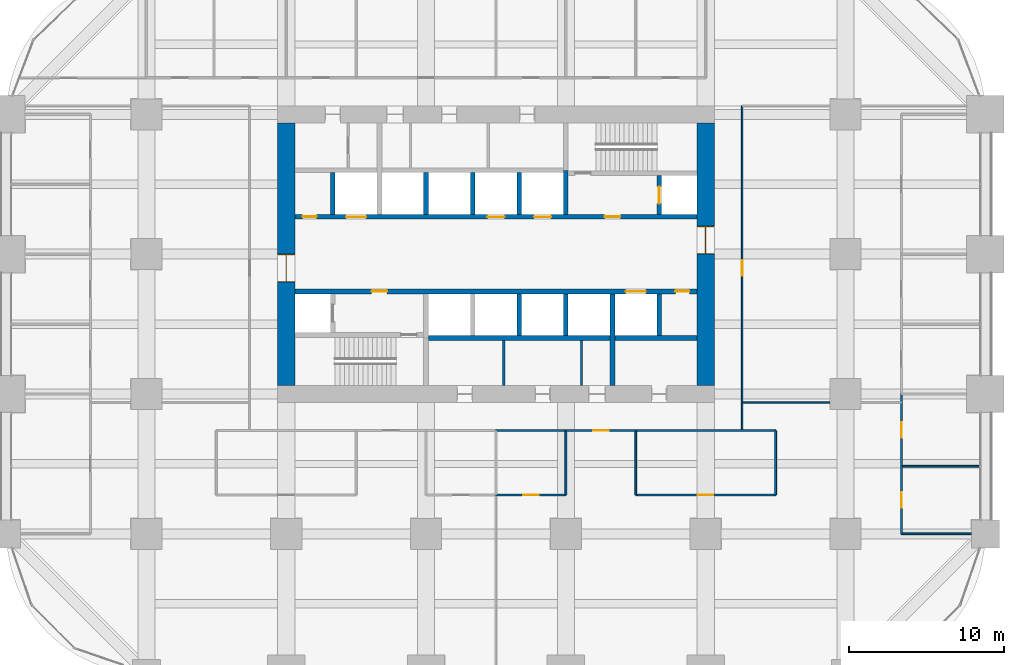
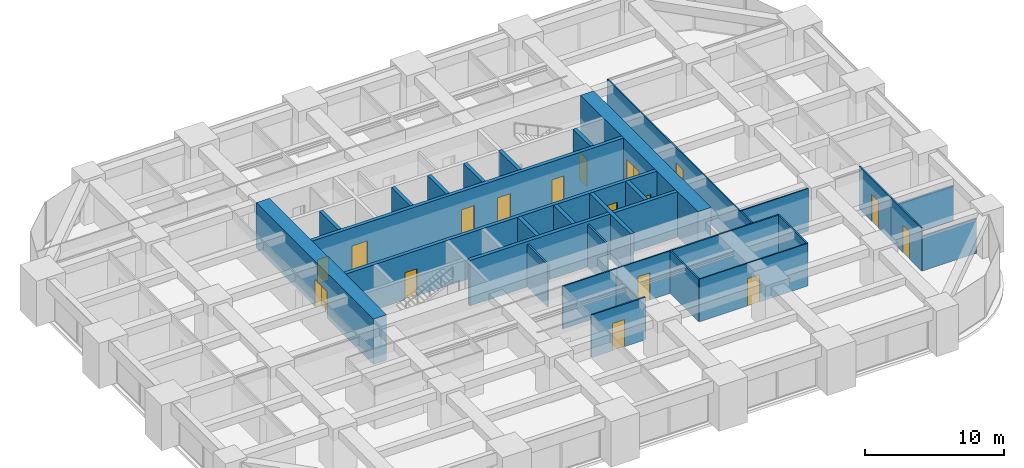
# One storey, part 37 of 41: 31 walls, 17 doors, 17 openings.
"""IFC4 building model written with IfcOpenShell, lengths in metres."""

from ifc_helpers import new_model, si_unit, direction, frame, frame_2d, origin, place, context, subcontext, project, spatial, rectangle, extrude, material, layer, layer_set, type_object, element, fill, save


model = new_model("IFC4")

# Units and contexts
model_context = context("Model", 3, precision=1e-05, world=origin(), true_north=direction((0.0, 1.0)))
body_context = subcontext(model_context, "Body", "Model", "MODEL_VIEW")
ifc_project = project(units=[si_unit("LENGTHUNIT", "METRE"), si_unit("AREAUNIT", "SQUARE_METRE"), si_unit("VOLUMEUNIT", "CUBIC_METRE"), si_unit("PLANEANGLEUNIT", "RADIAN"), si_unit("MASSUNIT", "GRAM", prefix="KILO")], contexts=[model_context])

# Site, building, storey
site_placement = place(None, origin())
site = spatial("IfcSite", under=ifc_project, at=site_placement, CompositionType="ELEMENT")
building_placement = place(site_placement, origin())
building = spatial("IfcBuilding", under=site, at=building_placement, Name="Zorevar Civic Tower", CompositionType="ELEMENT")
storey_placement = place(building_placement, frame((0.0, 0.0, 109.0)))
storey = spatial("IfcBuildingStorey", under=building, at=storey_placement, Name="L26", CompositionType="ELEMENT", Elevation=109.0)

# Wall, opening, door
ifc_material_1 = material(Name="Concrete C50/60", Category="concrete")
ifc_layer_1 = layer(ifc_material_1, 1.10009765625)
ifc_layer_set_1 = layer_set([ifc_layer_1], Name="Core wall 1100")
wall_type_1 = type_object("IfcWallType", Name="Core wall 1100", PredefinedType="SHEAR", material=ifc_layer_set_1)
wall_1_placement = place(storey_placement, frame((18.0, 35.449951171875, 0.0), z_axis=(0.0, 0.0, 1.0), x_axis=(0.0, -1.0, 0.0)))
wall_1 = element("IfcWall", 1, at=wall_1_placement, inside=storey, type_object=wall_type_1, Name="Core wall W L26", PredefinedType="SHEAR", context=body_context, shape_type="SweptSolid", body=[
    extrude(rectangle(XDim=16.89990234375, YDim=1.10009765625, at=frame_2d((8.449951171875, 0.0))), origin(), (0.0, 0.0, 1.0), 4.0),
])
opening_1_placement = place(wall_1_placement, frame((8.449951171875, 0.0, 0.0)))
opening_1 = element("IfcOpeningElement", 2, at=opening_1_placement, cuts=wall_1, Name="Opening L26.01", PredefinedType="OPENING", context=body_context, shape_type="SweptSolid", body=[
    extrude(rectangle(XDim=1.800048828125, YDim=2.39990234375, at=frame_2d((0.89990234375, 1.199951171875))), frame((0.0, 0.56005859375, 0.0), z_axis=(0.0, -1.0, 0.0), x_axis=(1.0, 0.0, 0.0)), (0.0, 0.0, 1.0), 1.1201171875),
])
ifc_material_2 = material(Name="Steel door set", Category="steel")
door_type_1 = type_object("IfcDoorType", Name="Fire door FD2 1800x2400", OperationType="DOUBLE_DOOR_DOUBLE_SWING", PredefinedType="DOOR", material=ifc_material_2)
door_1_placement = place(opening_1_placement, origin())
door_1 = element("IfcDoor", 3, at=door_1_placement, inside=storey, type_object=door_type_1, Name="Door L26 00", OperationType="DOUBLE_DOOR_DOUBLE_SWING", OverallHeight=2.39990234375, OverallWidth=1.800048828125, PredefinedType="DOOR", context=body_context, shape_type="SweptSolid", body=[
    extrude(rectangle(XDim=1.800048828125, YDim=2.39990234375, at=frame_2d((0.89990234375, 1.199951171875))), frame((0.0, 0.030029296875, 0.0), z_axis=(0.0, -1.0, 0.0), x_axis=(1.0, 0.0, 0.0)), (0.0, 0.0, 1.0), 0.06005859375),
    extrude(rectangle(XDim=0.04, YDim=2.39990234375, at=frame_2d((0.02001953125, 1.199951171875))), frame((0.0, 0.5498046875, 0.0), z_axis=(0.0, -1.0, 0.0), x_axis=(1.0, 0.0, 0.0)), (0.0, 0.0, 1.0), 1.099609375),
    extrude(rectangle(XDim=0.04, YDim=2.39990234375, at=frame_2d((1.780029296875, 1.199951171875))), frame((0.0, 0.5498046875, 0.0), z_axis=(0.0, -1.0, 0.0), x_axis=(1.0, 0.0, 0.0)), (0.0, 0.0, 1.0), 1.099609375),
    extrude(rectangle(XDim=1.800048828125, YDim=0.04, at=frame_2d((0.89990234375, 2.3798828125))), frame((0.0, 0.5498046875, 0.0), z_axis=(0.0, -1.0, 0.0), x_axis=(1.0, 0.0, 0.0)), (0.0, 0.0, 1.0), 1.099609375),
])
fill(opening_1, door_1)

wall_2_placement = place(storey_placement, frame((45.0, 18.550048828125, 0.0), z_axis=(0.0, 0.0, 1.0), x_axis=(0.0, 1.0, 0.0)))
wall_2 = element("IfcWall", 4, at=wall_2_placement, inside=storey, type_object=wall_type_1, Name="Core wall E L26", PredefinedType="SHEAR", context=body_context, shape_type="SweptSolid", body=[
    extrude(rectangle(XDim=16.89990234375, YDim=1.10009765625, at=frame_2d((8.449951171875, 0.0))), origin(), (0.0, 0.0, 1.0), 4.0),
])
opening_2_placement = place(wall_2_placement, frame((8.449951171875, 0.0, 0.0)))
opening_2 = element("IfcOpeningElement", 5, at=opening_2_placement, cuts=wall_2, Name="Opening L26.02", PredefinedType="OPENING", context=body_context, shape_type="SweptSolid", body=[
    extrude(rectangle(XDim=1.800048828125, YDim=2.39990234375, at=frame_2d((0.89990234375, 1.199951171875))), frame((0.0, 0.56005859375, 0.0), z_axis=(0.0, -1.0, 0.0), x_axis=(1.0, 0.0, 0.0)), (0.0, 0.0, 1.0), 1.1201171875),
])
door_2_placement = place(opening_2_placement, origin())
door_2 = element("IfcDoor", 6, at=door_2_placement, inside=storey, type_object=door_type_1, Name="Door L26 01", OperationType="DOUBLE_DOOR_DOUBLE_SWING", OverallHeight=2.39990234375, OverallWidth=1.800048828125, PredefinedType="DOOR", context=body_context, shape_type="SweptSolid", body=[
    extrude(rectangle(XDim=1.800048828125, YDim=2.39990234375, at=frame_2d((0.89990234375, 1.199951171875))), frame((0.0, 0.030029296875, 0.0), z_axis=(0.0, -1.0, 0.0), x_axis=(1.0, 0.0, 0.0)), (0.0, 0.0, 1.0), 0.06005859375),
    extrude(rectangle(XDim=0.04, YDim=2.39990234375, at=frame_2d((0.02001953125, 1.199951171875))), frame((0.0, 0.5498046875, 0.0), z_axis=(0.0, -1.0, 0.0), x_axis=(1.0, 0.0, 0.0)), (0.0, 0.0, 1.0), 1.099609375),
    extrude(rectangle(XDim=0.04, YDim=2.39990234375, at=frame_2d((1.780029296875, 1.199951171875))), frame((0.0, 0.5498046875, 0.0), z_axis=(0.0, -1.0, 0.0), x_axis=(1.0, 0.0, 0.0)), (0.0, 0.0, 1.0), 1.099609375),
    extrude(rectangle(XDim=1.800048828125, YDim=0.04, at=frame_2d((0.89990234375, 2.3798828125))), frame((0.0, 0.5498046875, 0.0), z_axis=(0.0, -1.0, 0.0), x_axis=(1.0, 0.0, 0.0)), (0.0, 0.0, 1.0), 1.099609375),
])
fill(opening_2, door_2)

ifc_material_3 = material(Name="Laminated glass in black aluminium frame", Category="aluminium")
ifc_layer_2 = layer(ifc_material_3, 0.10009765625)
ifc_layer_set_2 = layer_set([ifc_layer_2], Name="Glazed partition 100")
wall_type_2 = type_object("IfcWallType", Name="Glazed partition 100", PredefinedType="PARTITIONING", material=ifc_layer_set_2)
wall_3_placement = place(storey_placement, frame((40.5, 11.5, 0.0), z_axis=(0.0, 0.0, 1.0), x_axis=(1.0, 0.0, 0.0)))
wall_3 = element("IfcWall", 7, at=wall_3_placement, inside=storey, type_object=wall_type_2, Name="Glazed partition 100 L26", PredefinedType="PARTITIONING", context=body_context, shape_type="SweptSolid", body=[
    extrude(rectangle(XDim=9.0, YDim=0.10009765625, at=frame_2d((4.5, 0.0))), origin(), (0.0, 0.0, 1.0), 3.75),
])
opening_3_placement = place(wall_3_placement, frame((4.0, 0.0, 0.0)))
opening_3 = element("IfcOpeningElement", 8, at=opening_3_placement, cuts=wall_3, Name="Opening L26.20", PredefinedType="OPENING", context=body_context, shape_type="SweptSolid", body=[
    extrude(rectangle(XDim=1.0, YDim=2.39990234375, at=frame_2d((0.5, 1.199951171875))), frame((0.0, 0.06005859375, 0.0), z_axis=(0.0, -1.0, 0.0), x_axis=(1.0, 0.0, 0.0)), (0.0, 0.0, 1.0), 0.1201171875),
])
ifc_material_4 = material(Name="Timber door set", Category="wood")
door_type_2 = type_object("IfcDoorType", Name="Glazed door GD1 1000x2400", OperationType="SINGLE_SWING_LEFT", PredefinedType="DOOR", material=ifc_material_4)
door_3_placement = place(opening_3_placement, origin())
door_3 = element("IfcDoor", 9, at=door_3_placement, inside=storey, type_object=door_type_2, Name="Door L26 D1", OperationType="SINGLE_SWING_RIGHT", OverallHeight=2.39990234375, OverallWidth=1.0, PredefinedType="DOOR", context=body_context, shape_type="SweptSolid", body=[
    extrude(rectangle(XDim=1.0, YDim=2.39990234375, at=frame_2d((0.5, 1.199951171875))), frame((0.0, 0.02001953125, 0.0), z_axis=(0.0, -1.0, 0.0), x_axis=(1.0, 0.0, 0.0)), (0.0, 0.0, 1.0), 0.0400390625),
])
fill(opening_3, door_3)

wall_4_placement = place(storey_placement, frame((36.0, 15.64990234375, 0.0), z_axis=(0.0, 0.0, 1.0), x_axis=(1.0, 0.0, 0.0)))
wall_4 = element("IfcWall", 10, at=wall_4_placement, inside=storey, type_object=wall_type_2, Name="Glazed partition 100 L26", PredefinedType="PARTITIONING", context=body_context, shape_type="SweptSolid", body=[
    extrude(rectangle(XDim=4.5, YDim=0.10009765625, at=frame_2d((2.25, 0.0))), origin(), (0.0, 0.0, 1.0), 3.75),
])
opening_4_placement = place(wall_4_placement, frame((1.75, 0.0, 0.0)))
opening_4 = element("IfcOpeningElement", 11, at=opening_4_placement, cuts=wall_4, Name="Opening L26.22", PredefinedType="OPENING", context=body_context, shape_type="SweptSolid", body=[
    extrude(rectangle(XDim=1.0, YDim=2.39990234375, at=frame_2d((0.5, 1.199951171875))), frame((0.0, 0.06005859375, 0.0), z_axis=(0.0, -1.0, 0.0), x_axis=(1.0, 0.0, 0.0)), (0.0, 0.0, 1.0), 0.1201171875),
])
door_4_placement = place(opening_4_placement, origin())
door_4 = element("IfcDoor", 12, at=door_4_placement, inside=storey, type_object=door_type_2, Name="Door L26 D1", OperationType="SINGLE_SWING_LEFT", OverallHeight=2.39990234375, OverallWidth=1.0, PredefinedType="DOOR", context=body_context, shape_type="SweptSolid", body=[
    extrude(rectangle(XDim=1.0, YDim=2.39990234375, at=frame_2d((0.5, 1.199951171875))), frame((0.0, 0.02001953125, 0.0), z_axis=(0.0, -1.0, 0.0), x_axis=(1.0, 0.0, 0.0)), (0.0, 0.0, 1.0), 0.0400390625),
])
fill(opening_4, door_4)

# Wall
wall_5_placement = place(storey_placement, frame((47.35009765625, 17.449951171875, 0.0), z_axis=(0.0, 0.0, 1.0), x_axis=(1.0, 0.0, 0.0)))
element("IfcWall", 13, at=wall_5_placement, inside=storey, type_object=wall_type_2, Name="Glazed partition 100 L26", PredefinedType="PARTITIONING", context=body_context, shape_type="SweptSolid", body=[
    extrude(rectangle(XDim=5.64990234375, YDim=0.10009765625, at=frame_2d((2.824951171875, 0.0))), origin(), (0.0, 0.0, 1.0), 3.75),
])

# Wall, opening, door
wall_6_placement = place(storey_placement, frame((47.35009765625, 15.64990234375, 0.0), z_axis=(0.0, 0.0, 1.0), x_axis=(0.0, 1.0, 0.0)))
wall_6 = element("IfcWall", 14, at=wall_6_placement, inside=storey, type_object=wall_type_2, Name="Glazed partition 100 L26", PredefinedType="PARTITIONING", context=body_context, shape_type="SweptSolid", body=[
    extrude(rectangle(XDim=20.900146484375, YDim=0.10009765625, at=frame_2d((10.4501953125, 0.0))), origin(), (0.0, 0.0, 1.0), 3.75),
])
opening_5_placement = place(wall_6_placement, frame((9.949951171875, 0.0, 0.0)))
opening_5 = element("IfcOpeningElement", 15, at=opening_5_placement, cuts=wall_6, Name="Opening L26.37", PredefinedType="OPENING", context=body_context, shape_type="SweptSolid", body=[
    extrude(rectangle(XDim=1.0, YDim=2.39990234375, at=frame_2d((0.5, 1.199951171875))), frame((0.0, 0.06005859375, 0.0), z_axis=(0.0, -1.0, 0.0), x_axis=(1.0, 0.0, 0.0)), (0.0, 0.0, 1.0), 0.1201171875),
])
door_5_placement = place(opening_5_placement, origin())
door_5 = element("IfcDoor", 16, at=door_5_placement, inside=storey, type_object=door_type_2, Name="Door L26 D1", OperationType="SINGLE_SWING_LEFT", OverallHeight=2.39990234375, OverallWidth=1.0, PredefinedType="DOOR", context=body_context, shape_type="SweptSolid", body=[
    extrude(rectangle(XDim=1.0, YDim=2.39990234375, at=frame_2d((0.5, 1.199951171875))), frame((0.0, 0.02001953125, 0.0), z_axis=(0.0, -1.0, 0.0), x_axis=(1.0, 0.0, 0.0)), (0.0, 0.0, 1.0), 0.0400390625),
])
fill(opening_5, door_5)

ifc_material_5 = material(Name="Concrete C40/50", Category="concrete")
ifc_layer_3 = layer(ifc_material_5, 0.300048828125)
ifc_layer_set_3 = layer_set([ifc_layer_3], Name="Inner core wall 300")
wall_type_3 = type_object("IfcWallType", Name="Inner core wall 300", PredefinedType="SHEAR", material=ifc_layer_set_3)
wall_7_placement = place(storey_placement, frame((42.0, 29.550048828125, 0.0), z_axis=(0.0, 0.0, 1.0), x_axis=(0.0, 1.0, 0.0)))
wall_7 = element("IfcWall", 17, at=wall_7_placement, inside=storey, type_object=wall_type_3, Name="Inner core wall N02 L26", PredefinedType="SHEAR", context=body_context, shape_type="SweptSolid", body=[
    extrude(rectangle(XDim=2.5, YDim=0.300048828125, at=frame_2d((1.25, 0.0))), origin(), (0.0, 0.0, 1.0), 4.0),
])
opening_6_placement = place(wall_7_placement, frame((0.699951171875, 0.0, 0.0)))
opening_6 = element("IfcOpeningElement", 18, at=opening_6_placement, cuts=wall_7, Name="Opening L26.FL2", PredefinedType="OPENING", context=body_context, shape_type="SweptSolid", body=[
    extrude(rectangle(XDim=1.10009765625, YDim=2.39990234375, at=frame_2d((0.550048828125, 1.199951171875))), frame((0.0, 0.159912109375, 0.0), z_axis=(0.0, -1.0, 0.0), x_axis=(1.0, 0.0, 0.0)), (0.0, 0.0, 1.0), 0.320068359375),
])
ifc_material_6 = material(Name="Steel door set", Category="steel")
door_type_3 = type_object("IfcDoorType", Name="Firefighting lift landing door LD3 1100x2400", OperationType="DOUBLE_DOOR_SLIDING", PredefinedType="DOOR", material=ifc_material_6)
door_6_placement = place(opening_6_placement, origin())
door_6 = element("IfcDoor", 19, at=door_6_placement, inside=storey, type_object=door_type_3, Name="Landing door FL2 L26", OperationType="DOUBLE_DOOR_SLIDING", OverallHeight=2.39990234375, OverallWidth=1.10009765625, PredefinedType="DOOR", context=body_context, shape_type="SweptSolid", body=[
    extrude(rectangle(XDim=1.10009765625, YDim=2.39990234375, at=frame_2d((0.550048828125, 1.199951171875))), frame((0.0, 0.030029296875, 0.0), z_axis=(0.0, -1.0, 0.0), x_axis=(1.0, 0.0, 0.0)), (0.0, 0.0, 1.0), 0.06005859375),
])
fill(opening_6, door_6)

# Wall, openings, doors
wall_8_placement = place(storey_placement, frame((18.550048828125, 24.60009765625, 0.0), z_axis=(0.0, 0.0, 1.0), x_axis=(1.0, 0.0, 0.0)))
wall_8 = element("IfcWall", 20, at=wall_8_placement, inside=storey, type_object=wall_type_3, Name="Inner core wall S03 L26", PredefinedType="SHEAR", context=body_context, shape_type="SweptSolid", body=[
    extrude(rectangle(XDim=25.89990234375, YDim=0.300048828125, at=frame_2d((12.949951171875, 0.0))), origin(), (0.0, 0.0, 1.0), 4.0),
])
opening_7_placement = place(wall_8_placement, frame((4.949951171875, 0.0, 0.0)))
opening_7 = element("IfcOpeningElement", 21, at=opening_7_placement, cuts=wall_8, Name="Opening L26.13", PredefinedType="OPENING", context=body_context, shape_type="SweptSolid", body=[
    extrude(rectangle(XDim=1.0, YDim=2.39990234375, at=frame_2d((0.5, 1.199951171875))), frame((0.0, 0.159912109375, 0.0), z_axis=(0.0, -1.0, 0.0), x_axis=(1.0, 0.0, 0.0)), (0.0, 0.0, 1.0), 0.320068359375),
])
opening_8_placement = place(wall_8_placement, frame((24.5, 0.0, 0.0)))
opening_8 = element("IfcOpeningElement", 22, at=opening_8_placement, cuts=wall_8, Name="Opening L26.15", PredefinedType="OPENING", context=body_context, shape_type="SweptSolid", body=[
    extrude(rectangle(XDim=0.89990234375, YDim=2.10009765625, at=frame_2d((0.449951171875, 1.050048828125))), frame((0.0, 0.159912109375, 0.0), z_axis=(0.0, -1.0, 0.0), x_axis=(1.0, 0.0, 0.0)), (0.0, 0.0, 1.0), 0.320068359375),
])
opening_9_placement = place(wall_8_placement, frame((21.300048828125, 0.0, 0.0)))
opening_9 = element("IfcOpeningElement", 23, at=opening_9_placement, cuts=wall_8, Name="Opening L26.SL1", PredefinedType="OPENING", context=body_context, shape_type="SweptSolid", body=[
    extrude(rectangle(XDim=1.300048828125, YDim=2.39990234375, at=frame_2d((0.64990234375, 1.199951171875))), frame((0.0, 0.159912109375, 0.0), z_axis=(0.0, -1.0, 0.0), x_axis=(1.0, 0.0, 0.0)), (0.0, 0.0, 1.0), 0.320068359375),
])
ifc_material_7 = material(Name="Steel door set", Category="steel")
door_type_4 = type_object("IfcDoorType", Name="Fire door FD1 1000x2400", OperationType="SINGLE_SWING_LEFT", PredefinedType="DOOR", material=ifc_material_7)
door_7_placement = place(opening_7_placement, origin())
door_7 = element("IfcDoor", 24, at=door_7_placement, inside=storey, type_object=door_type_4, Name="Door L26 12", OperationType="SINGLE_SWING_RIGHT", OverallHeight=2.39990234375, OverallWidth=1.0, PredefinedType="DOOR", context=body_context, shape_type="SweptSolid", body=[
    extrude(rectangle(XDim=1.0, YDim=2.39990234375, at=frame_2d((0.5, 1.199951171875))), frame((0.0, 0.030029296875, 0.0), z_axis=(0.0, -1.0, 0.0), x_axis=(1.0, 0.0, 0.0)), (0.0, 0.0, 1.0), 0.06005859375),
])
fill(opening_7, door_7)
ifc_material_8 = material(Name="Steel door set", Category="steel")
door_type_5 = type_object("IfcDoorType", Name="Landing door LD2 1300x2400", OperationType="DOUBLE_DOOR_SLIDING", PredefinedType="DOOR", material=ifc_material_8)
door_8_placement = place(opening_9_placement, origin())
door_8 = element("IfcDoor", 25, at=door_8_placement, inside=storey, type_object=door_type_5, Name="Landing door SL1 L26", OperationType="DOUBLE_DOOR_SLIDING", OverallHeight=2.39990234375, OverallWidth=1.300048828125, PredefinedType="DOOR", context=body_context, shape_type="SweptSolid", body=[
    extrude(rectangle(XDim=1.300048828125, YDim=2.39990234375, at=frame_2d((0.64990234375, 1.199951171875))), frame((0.0, 0.02001953125, 0.0), z_axis=(0.0, -1.0, 0.0), x_axis=(1.0, 0.0, 0.0)), (0.0, 0.0, 1.0), 0.0400390625),
])
fill(opening_9, door_8)
ifc_material_9 = material(Name="Steel door set", Category="steel")
door_type_6 = type_object("IfcDoorType", Name="Riser door RD1 900x2100", OperationType="SINGLE_SWING_LEFT", PredefinedType="DOOR", material=ifc_material_9)
door_9_placement = place(opening_8_placement, origin())
door_9 = element("IfcDoor", 26, at=door_9_placement, inside=storey, type_object=door_type_6, Name="Door L26 14", OperationType="SINGLE_SWING_RIGHT", OverallHeight=2.10009765625, OverallWidth=0.89990234375, PredefinedType="DOOR", context=body_context, shape_type="SweptSolid", body=[
    extrude(rectangle(XDim=0.89990234375, YDim=2.10009765625, at=frame_2d((0.449951171875, 1.050048828125))), frame((0.0, 0.030029296875, 0.0), z_axis=(0.0, -1.0, 0.0), x_axis=(1.0, 0.0, 0.0)), (0.0, 0.0, 1.0), 0.06005859375),
])
fill(opening_8, door_9)

wall_9_placement = place(storey_placement, frame((18.550048828125, 29.39990234375, 0.0), z_axis=(0.0, 0.0, 1.0), x_axis=(1.0, 0.0, 0.0)))
wall_9 = element("IfcWall", 27, at=wall_9_placement, inside=storey, type_object=wall_type_3, Name="Inner core wall N03 L26", PredefinedType="SHEAR", context=body_context, shape_type="SweptSolid", body=[
    extrude(rectangle(XDim=25.89990234375, YDim=0.300048828125, at=frame_2d((12.949951171875, 0.0))), origin(), (0.0, 0.0, 1.0), 4.0),
])
opening_10_placement = place(wall_9_placement, frame((19.949951171875, 0.0, 0.0)))
opening_10 = element("IfcOpeningElement", 28, at=opening_10_placement, cuts=wall_9, Name="Opening L26.14", PredefinedType="OPENING", context=body_context, shape_type="SweptSolid", body=[
    extrude(rectangle(XDim=1.0, YDim=2.39990234375, at=frame_2d((0.5, 1.199951171875))), frame((0.0, 0.159912109375, 0.0), z_axis=(0.0, -1.0, 0.0), x_axis=(1.0, 0.0, 0.0)), (0.0, 0.0, 1.0), 0.320068359375),
])
opening_11_placement = place(wall_9_placement, frame((0.5, 0.0, 0.0)))
opening_11 = element("IfcOpeningElement", 29, at=opening_11_placement, cuts=wall_9, Name="Opening L26.16", PredefinedType="OPENING", context=body_context, shape_type="SweptSolid", body=[
    extrude(rectangle(XDim=0.89990234375, YDim=2.10009765625, at=frame_2d((0.449951171875, 1.050048828125))), frame((0.0, 0.159912109375, 0.0), z_axis=(0.0, -1.0, 0.0), x_axis=(1.0, 0.0, 0.0)), (0.0, 0.0, 1.0), 0.320068359375),
])
opening_12_placement = place(wall_9_placement, frame((15.39990234375, 0.0, 0.0)))
opening_12 = element("IfcOpeningElement", 30, at=opening_12_placement, cuts=wall_9, Name="Opening L26.LM1", PredefinedType="OPENING", context=body_context, shape_type="SweptSolid", body=[
    extrude(rectangle(XDim=1.10009765625, YDim=2.39990234375, at=frame_2d((0.550048828125, 1.199951171875))), frame((0.0, 0.159912109375, 0.0), z_axis=(0.0, -1.0, 0.0), x_axis=(1.0, 0.0, 0.0)), (0.0, 0.0, 1.0), 0.320068359375),
])
opening_13_placement = place(wall_9_placement, frame((12.39990234375, 0.0, 0.0)))
opening_13 = element("IfcOpeningElement", 31, at=opening_13_placement, cuts=wall_9, Name="Opening L26.LM2", PredefinedType="OPENING", context=body_context, shape_type="SweptSolid", body=[
    extrude(rectangle(XDim=1.10009765625, YDim=2.39990234375, at=frame_2d((0.550048828125, 1.199951171875))), frame((0.0, 0.159912109375, 0.0), z_axis=(0.0, -1.0, 0.0), x_axis=(1.0, 0.0, 0.0)), (0.0, 0.0, 1.0), 0.320068359375),
])
opening_14_placement = place(wall_9_placement, frame((3.300048828125, 0.0, 0.0)))
opening_14 = element("IfcOpeningElement", 32, at=opening_14_placement, cuts=wall_9, Name="Opening L26.SL2", PredefinedType="OPENING", context=body_context, shape_type="SweptSolid", body=[
    extrude(rectangle(XDim=1.300048828125, YDim=2.39990234375, at=frame_2d((0.64990234375, 1.199951171875))), frame((0.0, 0.159912109375, 0.0), z_axis=(0.0, -1.0, 0.0), x_axis=(1.0, 0.0, 0.0)), (0.0, 0.0, 1.0), 0.320068359375),
])
door_10_placement = place(opening_10_placement, origin())
door_10 = element("IfcDoor", 33, at=door_10_placement, inside=storey, type_object=door_type_4, Name="Door L26 13", OperationType="SINGLE_SWING_RIGHT", OverallHeight=2.39990234375, OverallWidth=1.0, PredefinedType="DOOR", context=body_context, shape_type="SweptSolid", body=[
    extrude(rectangle(XDim=1.0, YDim=2.39990234375, at=frame_2d((0.5, 1.199951171875))), frame((0.0, 0.030029296875, 0.0), z_axis=(0.0, -1.0, 0.0), x_axis=(1.0, 0.0, 0.0)), (0.0, 0.0, 1.0), 0.06005859375),
])
fill(opening_10, door_10)
ifc_material_10 = material(Name="Steel door set", Category="steel")
door_type_7 = type_object("IfcDoorType", Name="Landing door LD1 1100x2400", OperationType="DOUBLE_DOOR_SLIDING", PredefinedType="DOOR", material=ifc_material_10)
door_11_placement = place(opening_12_placement, origin())
door_11 = element("IfcDoor", 34, at=door_11_placement, inside=storey, type_object=door_type_7, Name="Landing door LM1 L26", OperationType="DOUBLE_DOOR_SLIDING", OverallHeight=2.39990234375, OverallWidth=1.10009765625, PredefinedType="DOOR", context=body_context, shape_type="SweptSolid", body=[
    extrude(rectangle(XDim=1.10009765625, YDim=2.39990234375, at=frame_2d((0.550048828125, 1.199951171875))), frame((0.0, 0.02001953125, 0.0), z_axis=(0.0, -1.0, 0.0), x_axis=(1.0, 0.0, 0.0)), (0.0, 0.0, 1.0), 0.0400390625),
])
fill(opening_12, door_11)
door_12_placement = place(opening_13_placement, origin())
door_12 = element("IfcDoor", 35, at=door_12_placement, inside=storey, type_object=door_type_7, Name="Landing door LM2 L26", OperationType="DOUBLE_DOOR_SLIDING", OverallHeight=2.39990234375, OverallWidth=1.10009765625, PredefinedType="DOOR", context=body_context, shape_type="SweptSolid", body=[
    extrude(rectangle(XDim=1.10009765625, YDim=2.39990234375, at=frame_2d((0.550048828125, 1.199951171875))), frame((0.0, 0.02001953125, 0.0), z_axis=(0.0, -1.0, 0.0), x_axis=(1.0, 0.0, 0.0)), (0.0, 0.0, 1.0), 0.0400390625),
])
fill(opening_13, door_12)
door_13_placement = place(opening_14_placement, origin())
door_13 = element("IfcDoor", 36, at=door_13_placement, inside=storey, type_object=door_type_5, Name="Landing door SL2 L26", OperationType="DOUBLE_DOOR_SLIDING", OverallHeight=2.39990234375, OverallWidth=1.300048828125, PredefinedType="DOOR", context=body_context, shape_type="SweptSolid", body=[
    extrude(rectangle(XDim=1.300048828125, YDim=2.39990234375, at=frame_2d((0.64990234375, 1.199951171875))), frame((0.0, 0.02001953125, 0.0), z_axis=(0.0, -1.0, 0.0), x_axis=(1.0, 0.0, 0.0)), (0.0, 0.0, 1.0), 0.0400390625),
])
fill(opening_14, door_13)
door_14_placement = place(opening_11_placement, origin())
door_14 = element("IfcDoor", 37, at=door_14_placement, inside=storey, type_object=door_type_6, Name="Door L26 15", OperationType="SINGLE_SWING_RIGHT", OverallHeight=2.10009765625, OverallWidth=0.89990234375, PredefinedType="DOOR", context=body_context, shape_type="SweptSolid", body=[
    extrude(rectangle(XDim=0.89990234375, YDim=2.10009765625, at=frame_2d((0.449951171875, 1.050048828125))), frame((0.0, 0.030029296875, 0.0), z_axis=(0.0, -1.0, 0.0), x_axis=(1.0, 0.0, 0.0)), (0.0, 0.0, 1.0), 0.06005859375),
])
fill(opening_11, door_14)

# Walls
wall_10_placement = place(storey_placement, frame((27.14990234375, 21.60009765625, 0.0), z_axis=(0.0, 0.0, 1.0), x_axis=(1.0, 0.0, 0.0)))
element("IfcWall", 38, at=wall_10_placement, inside=storey, type_object=wall_type_3, Name="Inner core wall S04 L26", PredefinedType="SHEAR", context=body_context, shape_type="SweptSolid", body=[
    extrude(rectangle(XDim=17.300048828125, YDim=0.300048828125, at=frame_2d((8.64990234375, 0.0))), origin(), (0.0, 0.0, 1.0), 4.0),
])
for number, where, z_axis, x_axis, name in (
    (39, (33.0, 29.550048828125, 0.0), (0.0, 0.0, 1.0), (0.0, 1.0, 0.0), "Inner core wall N05 L26"),
    (40, (33.0, 21.75, 0.0), (0.0, 0.0, 1.0), (0.0, 1.0, 0.0), "Inner core wall S06 L26"),
    (41, (30.0, 29.550048828125, 0.0), (0.0, 0.0, 1.0), (0.0, 1.0, 0.0), "Inner core wall N06 L26"),
    (42, (36.0, 21.75, 0.0), (0.0, 0.0, 1.0), (0.0, 1.0, 0.0), "Inner core wall S07 L26"),
    (43, (27.0, 29.550048828125, 0.0), (0.0, 0.0, 1.0), (0.0, 1.0, 0.0), "Inner core wall N07 L26"),
):
    element("IfcWall", number, at=place(storey_placement, frame(where, z_axis=z_axis, x_axis=x_axis)), inside=storey, type_object=wall_type_3, Name=name, PredefinedType="SHEAR", context=body_context, shape_type="SweptSolid", body=[
        extrude(rectangle(XDim=2.699951171875, YDim=0.300048828125, at=frame_2d((1.35009765625, 0.0))), origin(), (0.0, 0.0, 1.0), 4.0),
    ])
wall_11_placement = place(storey_placement, frame((39.0, 18.550048828125, 0.0), z_axis=(0.0, 0.0, 1.0), x_axis=(0.0, 1.0, 0.0)))
element("IfcWall", 44, at=wall_11_placement, inside=storey, type_object=wall_type_3, Name="Inner core wall S08 L26", PredefinedType="SHEAR", context=body_context, shape_type="SweptSolid", body=[
    extrude(rectangle(XDim=5.89990234375, YDim=0.300048828125, at=frame_2d((2.949951171875, 0.0))), origin(), (0.0, 0.0, 1.0), 4.0),
])
for number, where, z_axis, x_axis, name in (
    (45, (42.0, 21.75, 0.0), (0.0, 0.0, 1.0), (0.0, 1.0, 0.0), "Inner core wall S09 L26"),
    (46, (21.0, 29.550048828125, 0.0), (0.0, 0.0, 1.0), (0.0, 1.0, 0.0), "Inner core wall N09 L26"),
):
    element("IfcWall", number, at=place(storey_placement, frame(where, z_axis=z_axis, x_axis=x_axis)), inside=storey, type_object=wall_type_3, Name=name, PredefinedType="SHEAR", context=body_context, shape_type="SweptSolid", body=[
        extrude(rectangle(XDim=2.699951171875, YDim=0.300048828125, at=frame_2d((1.35009765625, 0.0))), origin(), (0.0, 0.0, 1.0), 4.0),
    ])
wall_12_placement = place(storey_placement, frame((36.0, 29.550048828125, 0.0), z_axis=(0.0, 0.0, 1.0), x_axis=(0.0, 1.0, 0.0)))
element("IfcWall", 47, at=wall_12_placement, inside=storey, type_object=wall_type_3, Name="Inner core wall N10 L26", PredefinedType="SHEAR", context=body_context, shape_type="SweptSolid", body=[
    extrude(rectangle(XDim=2.849853515625, YDim=0.300048828125, at=frame_2d((1.4248046875, 0.0))), origin(), (0.0, 0.0, 1.0), 4.0),
])
ifc_material_11 = material(Name="Gypsum board on steel studs", Category="steel")
ifc_layer_4 = layer(ifc_material_11, 0.1201171875)
ifc_layer_set_4 = layer_set([ifc_layer_4], Name="Partition 120")
wall_type_4 = type_object("IfcWallType", Name="Partition 120", PredefinedType="PARTITIONING", material=ifc_layer_set_4)
wall_13_placement = place(storey_placement, frame((57.60009765625, 9.0, 0.0), z_axis=(0.0, 0.0, 1.0), x_axis=(1.0, 0.0, 0.0)))
element("IfcWall", 48, at=wall_13_placement, inside=storey, type_object=wall_type_4, Name="Partition 120 L26", PredefinedType="PARTITIONING", context=body_context, shape_type="SweptSolid", body=[
    extrude(rectangle(XDim=4.5, YDim=0.1201171875, at=frame_2d((2.25, 0.0))), origin(), (0.0, 0.0, 1.0), 3.050048828125),
])

# Wall, opening, door
wall_14_placement = place(storey_placement, frame((31.5, 11.5, 0.0), z_axis=(0.0, 0.0, 1.0), x_axis=(1.0, 0.0, 0.0)))
wall_14 = element("IfcWall", 49, at=wall_14_placement, inside=storey, type_object=wall_type_4, Name="Partition 120 L26", PredefinedType="PARTITIONING", context=body_context, shape_type="SweptSolid", body=[
    extrude(rectangle(XDim=4.5, YDim=0.1201171875, at=frame_2d((2.25, 0.0))), origin(), (0.0, 0.0, 1.0), 3.75),
])
opening_15_placement = place(wall_14_placement, frame((1.75, 0.0, 0.0)))
opening_15 = element("IfcOpeningElement", 50, at=opening_15_placement, cuts=wall_14, Name="Opening L26.18", PredefinedType="OPENING", context=body_context, shape_type="SweptSolid", body=[
    extrude(rectangle(XDim=1.0, YDim=2.39990234375, at=frame_2d((0.5, 1.199951171875))), frame((0.0, 0.070068359375, 0.0), z_axis=(0.0, -1.0, 0.0), x_axis=(1.0, 0.0, 0.0)), (0.0, 0.0, 1.0), 0.14013671875),
])
ifc_material_12 = material(Name="Timber door set", Category="wood")
door_type_8 = type_object("IfcDoorType", Name="Door D1 1000x2400", OperationType="SINGLE_SWING_LEFT", PredefinedType="DOOR", material=ifc_material_12)
door_15_placement = place(opening_15_placement, origin())
door_15 = element("IfcDoor", 51, at=door_15_placement, inside=storey, type_object=door_type_8, Name="Door L26 D1", OperationType="SINGLE_SWING_LEFT", OverallHeight=2.39990234375, OverallWidth=1.0, PredefinedType="DOOR", context=body_context, shape_type="SweptSolid", body=[
    extrude(rectangle(XDim=1.0, YDim=2.39990234375, at=frame_2d((0.5, 1.199951171875))), frame((0.0, 0.02490234375, 0.0), z_axis=(0.0, -1.0, 0.0), x_axis=(1.0, 0.0, 0.0)), (0.0, 0.0, 1.0), 0.050048828125),
])
fill(opening_15, door_15)

# Walls
wall_15_placement = place(storey_placement, frame((57.60009765625, 13.35009765625, 0.0), z_axis=(0.0, 0.0, 1.0), x_axis=(1.0, 0.0, 0.0)))
element("IfcWall", 52, at=wall_15_placement, inside=storey, type_object=wall_type_4, Name="Partition 120 L26", PredefinedType="PARTITIONING", context=body_context, shape_type="SweptSolid", body=[
    extrude(rectangle(XDim=5.08984375, YDim=0.1201171875, at=frame_2d((2.544921875, 0.0))), origin(), (0.0, 0.0, 1.0), 3.10009765625),
])
wall_16_placement = place(storey_placement, frame((40.5, 15.64990234375, 0.0), z_axis=(0.0, 0.0, 1.0), x_axis=(1.0, 0.0, 0.0)))
element("IfcWall", 53, at=wall_16_placement, inside=storey, type_object=wall_type_4, Name="Partition 120 L26", PredefinedType="PARTITIONING", context=body_context, shape_type="SweptSolid", body=[
    extrude(rectangle(XDim=9.0, YDim=0.1201171875, at=frame_2d((4.5, 0.0))), origin(), (0.0, 0.0, 1.0), 3.75),
])
wall_17_placement = place(storey_placement, frame((31.5, 15.64990234375, 0.0), z_axis=(0.0, 0.0, 1.0), x_axis=(1.0, 0.0, 0.0)))
element("IfcWall", 54, at=wall_17_placement, inside=storey, type_object=wall_type_4, Name="Partition 120 L26", PredefinedType="PARTITIONING", context=body_context, shape_type="SweptSolid", body=[
    extrude(rectangle(XDim=4.5, YDim=0.1201171875, at=frame_2d((2.25, 0.0))), origin(), (0.0, 0.0, 1.0), 3.75),
])
wall_18_placement = place(storey_placement, frame((36.0, 11.5, 0.0), z_axis=(0.0, 0.0, 1.0), x_axis=(0.0, 1.0, 0.0)))
element("IfcWall", 55, at=wall_18_placement, inside=storey, type_object=wall_type_4, Name="Partition 120 L26", PredefinedType="PARTITIONING", context=body_context, shape_type="SweptSolid", body=[
    extrude(rectangle(XDim=4.14990234375, YDim=0.1201171875, at=frame_2d((2.074951171875, 0.0))), origin(), (0.0, 0.0, 1.0), 3.050048828125),
])
for number, where, z_axis, x_axis, name in (
    (56, (40.5, 11.5, 0.0), (0.0, 0.0, 1.0), (0.0, 1.0, 0.0), "Partition 120 L26"),
    (57, (49.5, 11.5, 0.0), (0.0, 0.0, 1.0), (0.0, 1.0, 0.0), "Partition 120 L26"),
):
    element("IfcWall", number, at=place(storey_placement, frame(where, z_axis=z_axis, x_axis=x_axis)), inside=storey, type_object=wall_type_4, Name=name, PredefinedType="PARTITIONING", context=body_context, shape_type="SweptSolid", body=[
        extrude(rectangle(XDim=4.14990234375, YDim=0.1201171875, at=frame_2d((2.074951171875, 0.0))), origin(), (0.0, 0.0, 1.0), 3.75),
    ])

# Wall, opening, door
wall_19_placement = place(storey_placement, frame((57.60009765625, 9.0, 0.0), z_axis=(0.0, 0.0, 1.0), x_axis=(0.0, 1.0, 0.0)))
wall_19 = element("IfcWall", 58, at=wall_19_placement, inside=storey, type_object=wall_type_4, Name="Partition 120 L26", PredefinedType="PARTITIONING", context=body_context, shape_type="SweptSolid", body=[
    extrude(rectangle(XDim=4.35009765625, YDim=0.1201171875, at=frame_2d((2.175048828125, 0.0))), origin(), (0.0, 0.0, 1.0), 3.75),
])
opening_16_placement = place(wall_19_placement, frame((1.675048828125, 0.0, 0.0)))
opening_16 = element("IfcOpeningElement", 59, at=opening_16_placement, cuts=wall_19, Name="Opening L26.38", PredefinedType="OPENING", context=body_context, shape_type="SweptSolid", body=[
    extrude(rectangle(XDim=1.0, YDim=2.39990234375, at=frame_2d((0.5, 1.199951171875))), frame((0.0, 0.070068359375, 0.0), z_axis=(0.0, -1.0, 0.0), x_axis=(1.0, 0.0, 0.0)), (0.0, 0.0, 1.0), 0.14013671875),
])
door_16_placement = place(opening_16_placement, origin())
door_16 = element("IfcDoor", 60, at=door_16_placement, inside=storey, type_object=door_type_8, Name="Door L26 D1", OperationType="SINGLE_SWING_LEFT", OverallHeight=2.39990234375, OverallWidth=1.0, PredefinedType="DOOR", context=body_context, shape_type="SweptSolid", body=[
    extrude(rectangle(XDim=1.0, YDim=2.39990234375, at=frame_2d((0.5, 1.199951171875))), frame((0.0, 0.02490234375, 0.0), z_axis=(0.0, -1.0, 0.0), x_axis=(1.0, 0.0, 0.0)), (0.0, 0.0, 1.0), 0.050048828125),
])
fill(opening_16, door_16)

wall_20_placement = place(storey_placement, frame((57.60009765625, 13.35009765625, 0.0), z_axis=(0.0, 0.0, 1.0), x_axis=(0.0, 1.0, 0.0)))
wall_20 = element("IfcWall", 61, at=wall_20_placement, inside=storey, type_object=wall_type_4, Name="Partition 120 L26", PredefinedType="PARTITIONING", context=body_context, shape_type="SweptSolid", body=[
    extrude(rectangle(XDim=4.64990234375, YDim=0.1201171875, at=frame_2d((2.324951171875, 0.0))), origin(), (0.0, 0.0, 1.0), 3.75),
])
opening_17_placement = place(wall_20_placement, frame((1.824951171875, 0.0, 0.0)))
opening_17 = element("IfcOpeningElement", 62, at=opening_17_placement, cuts=wall_20, Name="Opening L26.39", PredefinedType="OPENING", context=body_context, shape_type="SweptSolid", body=[
    extrude(rectangle(XDim=1.0, YDim=2.39990234375, at=frame_2d((0.5, 1.199951171875))), frame((0.0, 0.070068359375, 0.0), z_axis=(0.0, -1.0, 0.0), x_axis=(1.0, 0.0, 0.0)), (0.0, 0.0, 1.0), 0.14013671875),
])
door_17_placement = place(opening_17_placement, origin())
door_17 = element("IfcDoor", 63, at=door_17_placement, inside=storey, type_object=door_type_8, Name="Door L26 D1", OperationType="SINGLE_SWING_LEFT", OverallHeight=2.39990234375, OverallWidth=1.0, PredefinedType="DOOR", context=body_context, shape_type="SweptSolid", body=[
    extrude(rectangle(XDim=1.0, YDim=2.39990234375, at=frame_2d((0.5, 1.199951171875))), frame((0.0, 0.02490234375, 0.0), z_axis=(0.0, -1.0, 0.0), x_axis=(1.0, 0.0, 0.0)), (0.0, 0.0, 1.0), 0.050048828125),
])
fill(opening_17, door_17)

# Walls
ifc_material_13 = material(Name="Gypsum board on steel studs, moisture resistant", Category="steel")
ifc_layer_5 = layer(ifc_material_13, 0.14990234375)
ifc_layer_set_5 = layer_set([ifc_layer_5], Name="WC partition 150")
wall_type_5 = type_object("IfcWallType", Name="WC partition 150", PredefinedType="PARTITIONING", material=ifc_layer_set_5)
for number, where, z_axis, x_axis, name in (
    (64, (32.0, 18.550048828125, 0.0), (0.0, 0.0, 1.0), (0.0, 1.0, 0.0), "WC partition L26"),
    (65, (37.0, 18.550048828125, 0.0), (0.0, 0.0, 1.0), (0.0, 1.0, 0.0), "WC partition L26"),
):
    element("IfcWall", number, at=place(storey_placement, frame(where, z_axis=z_axis, x_axis=x_axis)), inside=storey, type_object=wall_type_5, Name=name, PredefinedType="PARTITIONING", context=body_context, shape_type="SweptSolid", body=[
        extrude(rectangle(XDim=2.89990234375, YDim=0.14990234375, at=frame_2d((1.449951171875, 0.0))), origin(), (0.0, 0.0, 1.0), 3.75),
    ])

save(model, "model.ifc")
